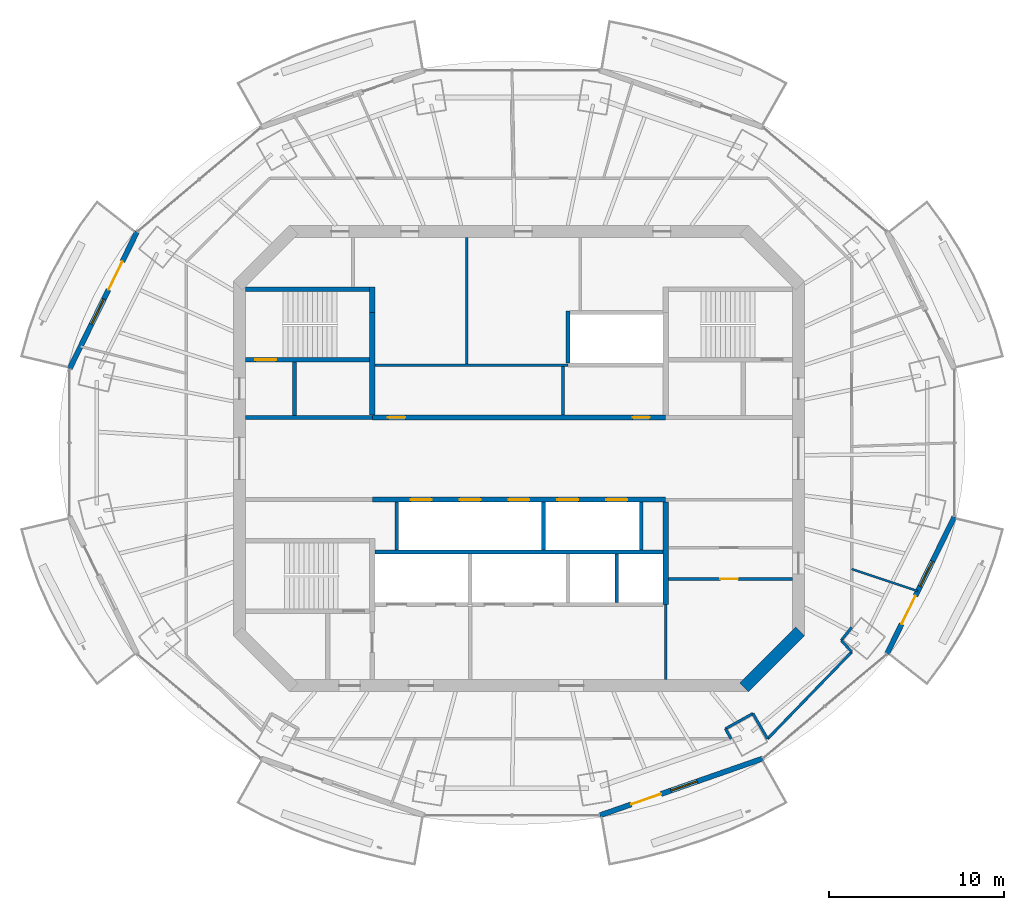
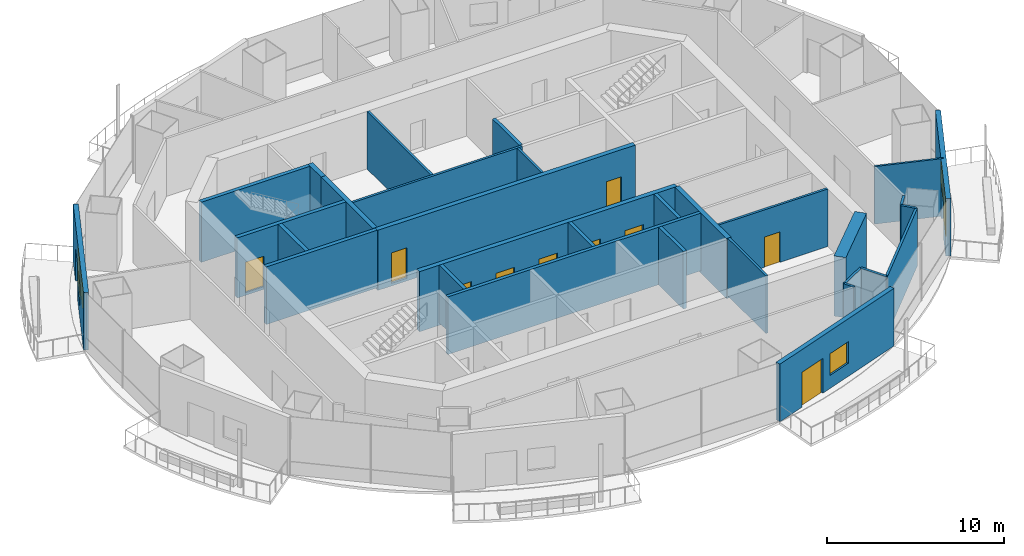
# One storey, part 9 of 16: 31 walls, 12 doors, 3 windows, 15 openings.
"""IFC4 building model written with IfcOpenShell, lengths in metres."""

import ifcopenshell
import ifcopenshell.guid

model = None  # the IFC model being written
_history = None  # IfcOwnerHistory: only IFC2X3 demands one
_inside = {}  # id of a spatial element -> (the spatial element, [elements in it])
_under = {}  # id of a project, library or spatial element -> (it, [spatial elements below it])
_declared = {}  # id of a project -> (the project, [libraries it declares])
_typed = {}  # id of a type object -> (the type object, [elements of that type])
_made_of = {}  # id of a material, layer set ... -> (it, [elements and type objects made of it])


def new_model(schema):
    """Start an empty IFC model of exactly this schema.

    Asked for "IFC4X3", IfcOpenShell would pick the latest addendum, in which some entities
    have other attributes; the version numbers below select the first issue.
    IFC2X3 requires an IfcOwnerHistory on every rooted entity: one is made here for all.
    """
    global model, _history
    if schema == "IFC4X3":
        model = ifcopenshell.file(schema_version=(4, 3, 0, 0))
    else:
        model = ifcopenshell.file(schema=schema)
    _inside.clear()
    _under.clear()
    _declared.clear()
    _typed.clear()
    _made_of.clear()
    _history = None
    if model.schema == "IFC2X3":
        org = make("IfcOrganization", Name="unknown")
        user = make(
            "IfcPersonAndOrganization",
            ThePerson=make("IfcPerson", FamilyName="unknown"),
            TheOrganization=org,
        )
        app = make(
            "IfcApplication",
            ApplicationDeveloper=org,
            Version="unknown",
            ApplicationFullName="unknown",
            ApplicationIdentifier="unknown",
        )
        _history = make(
            "IfcOwnerHistory",
            OwningUser=user,
            OwningApplication=app,
            ChangeAction="ADDED",
            CreationDate=0,
        )
    return model


def make(cls, **values):
    """One entity of the class cls with the attributes given. An attribute that is None is left unset."""
    return model.create_entity(
        cls, **{name: value for name, value in values.items() if value is not None}
    )


def rooted(cls, **values):
    """An entity with a GlobalId (a new one), such as an element, a storey or a relation."""
    return make(cls, GlobalId=ifcopenshell.guid.new(), OwnerHistory=_history, **values)


def si_unit(unit_type, name, prefix=None):
    """IfcSIUnit, for example si_unit("LENGTHUNIT", "METRE", prefix="MILLI")."""
    return make("IfcSIUnit", UnitType=unit_type, Prefix=prefix, Name=name)


def assignment(units):
    """IfcUnitAssignment: the units of a project."""
    return None if units is None else make("IfcUnitAssignment", Units=units)


def point(xyz):
    """IfcCartesianPoint."""
    return None if xyz is None else make("IfcCartesianPoint", Coordinates=xyz)


def direction(xyz):
    """IfcDirection."""
    return None if xyz is None else make("IfcDirection", DirectionRatios=xyz)


def frame(location, z_axis=None, x_axis=None):
    """IfcAxis2Placement3D, a coordinate frame: its origin and axes. An axis left out is left unset."""
    return make(
        "IfcAxis2Placement3D",
        Location=point(location),
        Axis=direction(z_axis),
        RefDirection=direction(x_axis),
    )


def frame_2d(location, x_axis=None):
    """IfcAxis2Placement2D, a coordinate frame in the plane: its origin and x axis."""
    return make(
        "IfcAxis2Placement2D", Location=point(location), RefDirection=direction(x_axis)
    )


def origin():
    """The frame at (0, 0, 0) with its axes left unset."""
    return frame((0.0, 0.0, 0.0))


def place(relative_to, where):
    """IfcLocalPlacement: puts the frame where relative to a parent placement (None: the world)."""
    return make(
        "IfcLocalPlacement", PlacementRelTo=relative_to, RelativePlacement=where
    )


def context(
    kind, dimensions, precision=None, world=None, true_north=None, identifier=None
):
    """IfcGeometricRepresentationContext, for example the 3D "Model" context."""
    return make(
        "IfcGeometricRepresentationContext",
        ContextIdentifier=identifier,
        ContextType=kind,
        CoordinateSpaceDimension=dimensions,
        Precision=precision,
        WorldCoordinateSystem=world,
        TrueNorth=true_north,
    )


def subcontext(parent, identifier, kind, view, scale=None):
    """IfcGeometricRepresentationSubContext, for example "Body" below "Model"."""
    return make(
        "IfcGeometricRepresentationSubContext",
        ContextIdentifier=identifier,
        ContextType=kind,
        ParentContext=parent,
        TargetScale=scale,
        TargetView=view,
    )


def project(units=None, contexts=None):
    """IfcProject with its units and contexts."""
    return rooted(
        "IfcProject",
        Name="project",
        RepresentationContexts=contexts,
        UnitsInContext=assignment(units),
    )


def spatial(cls, under=None, at=None, **own):
    """A site, building, storey or space (cls), placed at a placement, below another one or the project."""
    s = rooted(cls, ObjectPlacement=at, **own)
    if under is not None:
        _under.setdefault(under.id(), (under, []))[1].append(s)
    return s


def profile(cls, at=None, kind="AREA", **sizes):
    """A parametric profile (cls). Its sizes go by their IFC names, for example OverallWidth=200.0."""
    return make(cls, ProfileType=kind, Position=at, **sizes)


def rectangle(**sizes):
    """IfcRectangleProfileDef."""
    return profile("IfcRectangleProfileDef", **sizes)


def extrude(swept, where, along, depth):
    """IfcExtrudedAreaSolid: the profile swept, set in the frame where, extruded along a direction by depth."""
    return make(
        "IfcExtrudedAreaSolid",
        SweptArea=swept,
        Position=where,
        ExtrudedDirection=direction(along),
        Depth=depth,
    )


def shape(context_of_items, identifier, shape_type, items):
    """IfcShapeRepresentation: the items that make up one representation, for example the "Body"."""
    return make(
        "IfcShapeRepresentation",
        ContextOfItems=context_of_items,
        RepresentationIdentifier=identifier,
        RepresentationType=shape_type,
        Items=items,
    )


def material(Name=None, Category=None):
    """IfcMaterial."""
    return make("IfcMaterial", Name=Name, Category=Category)


def layer(
    of_material, thickness, ventilated=None, Name=None, Category=None, Priority=None
):
    """IfcMaterialLayer: one layer of a wall or slab, of a material (None: an air gap)."""
    return make(
        "IfcMaterialLayer",
        Material=of_material,
        LayerThickness=thickness,
        IsVentilated=ventilated,
        Name=Name,
        Category=Category,
        Priority=Priority,
    )


def layer_set(layers, Name=None):
    """IfcMaterialLayerSet."""
    return make("IfcMaterialLayerSet", MaterialLayers=layers, LayerSetName=Name)


def made_of(thing, what):
    """Note that an element or type object is made of a material, layer set ...; save() writes the relation."""
    if what is not None:
        _made_of.setdefault(what.id(), (what, []))[1].append(thing)
    return thing


def type_object(cls, material=None, **own):
    """A type object (cls), such as IfcWallType, which elements share."""
    return made_of(rooted(cls, **own), material)


def element(
    cls,
    number,
    at=None,
    inside=None,
    cuts=None,
    type_object=None,
    material=None,
    context=None,
    identifier="Body",
    shape_type=None,
    held_by="IfcProductDefinitionShape",
    body=None,
    shapes=None,
    **own,
):
    """One element of the class cls, such as IfcWall. Its Tag is "e" and its number.

    at: its placement. inside: the storey or other place that contains it. cuts: it is an
    opening in that element (IfcRelVoidsElement). A single representation is given by context,
    identifier, shape_type and body (its items); several are given by shapes. held_by: the class
    of the entity that holds the representations. save() writes the other relations.
    """
    e = rooted(cls, Tag="e%d" % number, ObjectPlacement=at, **own)
    if body is not None:
        shapes = [shape(context, identifier, shape_type, body)]
    if shapes is not None:
        e.Representation = make(held_by, Representations=shapes)
    if inside is not None:
        _inside.setdefault(inside.id(), (inside, []))[1].append(e)
    if cuts is not None:
        rooted(
            "IfcRelVoidsElement", RelatingBuildingElement=cuts, RelatedOpeningElement=e
        )
    if type_object is not None:
        _typed.setdefault(type_object.id(), (type_object, []))[1].append(e)
    return made_of(e, material)


def fill(opening, filler):
    """IfcRelFillsElement: the door or window that sits in an opening."""
    return rooted(
        "IfcRelFillsElement",
        RelatingOpeningElement=opening,
        RelatedBuildingElement=filler,
    )


def aggregate(whole, parts):
    """IfcRelAggregates: a whole, such as a stair, and the parts it consists of."""
    return rooted("IfcRelAggregates", RelatingObject=whole, RelatedObjects=parts)


def save(model, path):
    """Write the relations noted so far, then the file.

    IfcRelAggregates (storeys below a building ...), IfcRelContainedInSpatialStructure (elements
    in a storey), IfcRelDefinesByType, IfcRelAssociatesMaterial and IfcRelDeclares: one each for
    every whole, place, type object, material and project.
    """
    for whole, parts in _under.values():
        aggregate(whole, parts)
    for where, things in _inside.values():
        rooted(
            "IfcRelContainedInSpatialStructure",
            RelatedElements=things,
            RelatingStructure=where,
        )
    for kind, things in _typed.values():
        rooted("IfcRelDefinesByType", RelatedObjects=things, RelatingType=kind)
    for what, things in _made_of.values():
        rooted("IfcRelAssociatesMaterial", RelatedObjects=things, RelatingMaterial=what)
    for by, libraries in _declared.values():
        rooted("IfcRelDeclares", RelatingContext=by, RelatedDefinitions=libraries)
    model.write(path)


model = new_model("IFC4")

# Units and contexts
model_context = context("Model", 3, precision=1e-05, world=origin(), true_north=direction((0.0, 1.0)))
body_context = subcontext(model_context, "Body", "Model", "MODEL_VIEW")
ifc_project = project(units=[si_unit("LENGTHUNIT", "METRE"), si_unit("AREAUNIT", "SQUARE_METRE"), si_unit("VOLUMEUNIT", "CUBIC_METRE"), si_unit("PLANEANGLEUNIT", "RADIAN"), si_unit("MASSUNIT", "GRAM", prefix="KILO")], contexts=[model_context])

# Site, building, storey
site_placement = place(None, origin())
site = spatial("IfcSite", under=ifc_project, at=site_placement, CompositionType="ELEMENT")
building_placement = place(site_placement, origin())
building = spatial("IfcBuilding", under=site, at=building_placement, Name="Marenthal Gate Tower", CompositionType="ELEMENT")
storey_placement = place(building_placement, frame((0.0, 0.0, 375.800048828125)))
storey = spatial("IfcBuildingStorey", under=building, at=storey_placement, Name="L85", CompositionType="ELEMENT", Elevation=375.800048828125)

# Wall
ifc_material_1 = material(Name="Concrete 60 MPa", Category="concrete")
ifc_layer_1 = layer(ifc_material_1, 0.699951171875)
ifc_layer_set_1 = layer_set([ifc_layer_1], Name="Core shear wall 700")
wall_type_1 = type_object("IfcWallType", Name="Core shear wall 700", PredefinedType="SHEAR", material=ifc_layer_set_1)
wall_1_placement = place(storey_placement, frame((12.8974609375, -13.1025390625, -0.179931640625), z_axis=(0.0, 0.0, 1.0), x_axis=(0.707106781187, 0.707106781187, 0.0)))
element("IfcWall", 1, at=wall_1_placement, inside=storey, type_object=wall_type_1, Name="Core wall 01", PredefinedType="SHEAR", context=body_context, shape_type="SweptSolid", body=[
    extrude(rectangle(XDim=4.53271484375, YDim=0.699951171875, at=frame_2d((2.266357421875, 0.0))), origin(), (0.0, 0.0, 1.0), 4.14990234375),
])

# Wall, openings, doors
ifc_material_2 = material(Name="Concrete 50 MPa", Category="concrete")
ifc_layer_2 = layer(ifc_material_2, 0.300048828125)
ifc_layer_set_2 = layer_set([ifc_layer_2], Name="Hoistway shear wall 300")
wall_type_2 = type_object("IfcWallType", Name="Hoistway shear wall 300", PredefinedType="SHEAR", material=ifc_layer_set_2)
wall_2_placement = place(storey_placement, frame((-8.39990234375, -2.35009765625, -0.179931640625), z_axis=(0.0, 0.0, 1.0), x_axis=(1.0, 0.0, 0.0)))
wall_2 = element("IfcWall", 2, at=wall_2_placement, inside=storey, type_object=wall_type_2, Name="Hoistway wall 17", PredefinedType="SHEAR", context=body_context, shape_type="SweptSolid", body=[
    extrude(rectangle(XDim=16.7998046875, YDim=0.300048828125, at=frame_2d((8.39990234375, 0.0))), origin(), (0.0, 0.0, 1.0), 4.14990234375),
])
opening_1_placement = place(wall_2_placement, frame((2.199951171875, 0.0, 0.179931640625)))
opening_1 = element("IfcOpeningElement", 3, at=opening_1_placement, cuts=wall_2, Name="Opening LD-HP1", PredefinedType="OPENING", context=body_context, shape_type="SweptSolid", body=[
    extrude(rectangle(XDim=1.199951171875, YDim=2.10009765625, at=frame_2d((0.60009765625, 1.050048828125))), frame((0.0, 0.16015625, 0.0), z_axis=(0.0, -1.0, 0.0), x_axis=(1.0, 0.0, 0.0)), (0.0, 0.0, 1.0), 0.320068359375),
])
opening_2_placement = place(wall_2_placement, frame((5.0, 0.0, 0.179931640625)))
opening_2 = element("IfcOpeningElement", 4, at=opening_2_placement, cuts=wall_2, Name="Opening LD-HP2", PredefinedType="OPENING", context=body_context, shape_type="SweptSolid", body=[
    extrude(rectangle(XDim=1.199951171875, YDim=2.10009765625, at=frame_2d((0.60009765625, 1.050048828125))), frame((0.0, 0.16015625, 0.0), z_axis=(0.0, -1.0, 0.0), x_axis=(1.0, 0.0, 0.0)), (0.0, 0.0, 1.0), 0.320068359375),
])
opening_3_placement = place(wall_2_placement, frame((7.800048828125, 0.0, 0.179931640625)))
opening_3 = element("IfcOpeningElement", 5, at=opening_3_placement, cuts=wall_2, Name="Opening LD-HP3", PredefinedType="OPENING", context=body_context, shape_type="SweptSolid", body=[
    extrude(rectangle(XDim=1.199951171875, YDim=2.10009765625, at=frame_2d((0.60009765625, 1.050048828125))), frame((0.0, 0.16015625, 0.0), z_axis=(0.0, -1.0, 0.0), x_axis=(1.0, 0.0, 0.0)), (0.0, 0.0, 1.0), 0.320068359375),
])
opening_4_placement = place(wall_2_placement, frame((10.60009765625, 0.0, 0.179931640625)))
opening_4 = element("IfcOpeningElement", 6, at=opening_4_placement, cuts=wall_2, Name="Opening LD-HP4", PredefinedType="OPENING", context=body_context, shape_type="SweptSolid", body=[
    extrude(rectangle(XDim=1.199951171875, YDim=2.10009765625, at=frame_2d((0.60009765625, 1.050048828125))), frame((0.0, 0.16015625, 0.0), z_axis=(0.0, -1.0, 0.0), x_axis=(1.0, 0.0, 0.0)), (0.0, 0.0, 1.0), 0.320068359375),
])
opening_5_placement = place(wall_2_placement, frame((13.39990234375, 0.0, 0.179931640625)))
opening_5 = element("IfcOpeningElement", 7, at=opening_5_placement, cuts=wall_2, Name="Opening LD-HP5", PredefinedType="OPENING", context=body_context, shape_type="SweptSolid", body=[
    extrude(rectangle(XDim=1.199951171875, YDim=2.10009765625, at=frame_2d((0.60009765625, 1.050048828125))), frame((0.0, 0.16015625, 0.0), z_axis=(0.0, -1.0, 0.0), x_axis=(1.0, 0.0, 0.0)), (0.0, 0.0, 1.0), 0.320068359375),
])
ifc_material_3 = material(Name="Stainless steel sliding door", Category="steel")
door_type_1 = type_object("IfcDoorType", Name="Lift landing door FD 90 1200 x 2100", OperationType="DOUBLE_DOOR_SLIDING", PredefinedType="DOOR", material=ifc_material_3)
door_1_placement = place(opening_1_placement, origin())
door_1 = element("IfcDoor", 8, at=door_1_placement, inside=storey, type_object=door_type_1, Name="Lift landing door HP1", OperationType="DOUBLE_DOOR_SLIDING", OverallHeight=2.10009765625, OverallWidth=1.199951171875, PredefinedType="DOOR", context=body_context, shape_type="SweptSolid", body=[
    extrude(rectangle(XDim=1.199951171875, YDim=2.10009765625, at=frame_2d((0.60009765625, 1.050048828125))), frame((0.0, 0.02490234375, 0.0), z_axis=(0.0, -1.0, 0.0), x_axis=(1.0, 0.0, 0.0)), (0.0, 0.0, 1.0), 0.050048828125),
])
fill(opening_1, door_1)
door_2_placement = place(opening_2_placement, origin())
door_2 = element("IfcDoor", 9, at=door_2_placement, inside=storey, type_object=door_type_1, Name="Lift landing door HP2", OperationType="DOUBLE_DOOR_SLIDING", OverallHeight=2.10009765625, OverallWidth=1.199951171875, PredefinedType="DOOR", context=body_context, shape_type="SweptSolid", body=[
    extrude(rectangle(XDim=1.199951171875, YDim=2.10009765625, at=frame_2d((0.60009765625, 1.050048828125))), frame((0.0, 0.02490234375, 0.0), z_axis=(0.0, -1.0, 0.0), x_axis=(1.0, 0.0, 0.0)), (0.0, 0.0, 1.0), 0.050048828125),
])
fill(opening_2, door_2)
door_3_placement = place(opening_3_placement, origin())
door_3 = element("IfcDoor", 10, at=door_3_placement, inside=storey, type_object=door_type_1, Name="Lift landing door HP3", OperationType="DOUBLE_DOOR_SLIDING", OverallHeight=2.10009765625, OverallWidth=1.199951171875, PredefinedType="DOOR", context=body_context, shape_type="SweptSolid", body=[
    extrude(rectangle(XDim=1.199951171875, YDim=2.10009765625, at=frame_2d((0.60009765625, 1.050048828125))), frame((0.0, 0.02490234375, 0.0), z_axis=(0.0, -1.0, 0.0), x_axis=(1.0, 0.0, 0.0)), (0.0, 0.0, 1.0), 0.050048828125),
])
fill(opening_3, door_3)
door_4_placement = place(opening_4_placement, origin())
door_4 = element("IfcDoor", 11, at=door_4_placement, inside=storey, type_object=door_type_1, Name="Lift landing door HP4", OperationType="DOUBLE_DOOR_SLIDING", OverallHeight=2.10009765625, OverallWidth=1.199951171875, PredefinedType="DOOR", context=body_context, shape_type="SweptSolid", body=[
    extrude(rectangle(XDim=1.199951171875, YDim=2.10009765625, at=frame_2d((0.60009765625, 1.050048828125))), frame((0.0, 0.02490234375, 0.0), z_axis=(0.0, -1.0, 0.0), x_axis=(1.0, 0.0, 0.0)), (0.0, 0.0, 1.0), 0.050048828125),
])
fill(opening_4, door_4)
door_5_placement = place(opening_5_placement, origin())
door_5 = element("IfcDoor", 12, at=door_5_placement, inside=storey, type_object=door_type_1, Name="Lift landing door HP5", OperationType="DOUBLE_DOOR_SLIDING", OverallHeight=2.10009765625, OverallWidth=1.199951171875, PredefinedType="DOOR", context=body_context, shape_type="SweptSolid", body=[
    extrude(rectangle(XDim=1.199951171875, YDim=2.10009765625, at=frame_2d((0.60009765625, 1.050048828125))), frame((0.0, 0.02490234375, 0.0), z_axis=(0.0, -1.0, 0.0), x_axis=(1.0, 0.0, 0.0)), (0.0, 0.0, 1.0), 0.050048828125),
])
fill(opening_5, door_5)

wall_3_placement = place(storey_placement, frame((-8.39990234375, 2.35009765625, -0.179931640625), z_axis=(0.0, 0.0, 1.0), x_axis=(1.0, 0.0, 0.0)))
wall_3 = element("IfcWall", 13, at=wall_3_placement, inside=storey, type_object=wall_type_2, Name="Hoistway wall 20", PredefinedType="SHEAR", context=body_context, shape_type="SweptSolid", body=[
    extrude(rectangle(XDim=16.7998046875, YDim=0.300048828125, at=frame_2d((8.39990234375, 0.0))), origin(), (0.0, 0.0, 1.0), 4.14990234375),
])
opening_6_placement = place(wall_3_placement, frame((0.89990234375, 0.0, 0.179931640625)))
opening_6 = element("IfcOpeningElement", 14, at=opening_6_placement, cuts=wall_3, Name="Opening D005.01", PredefinedType="OPENING", context=body_context, shape_type="SweptSolid", body=[
    extrude(rectangle(XDim=1.0, YDim=2.10009765625, at=frame_2d((0.5, 1.050048828125))), frame((0.0, 0.16015625, 0.0), z_axis=(0.0, -1.0, 0.0), x_axis=(1.0, 0.0, 0.0)), (0.0, 0.0, 1.0), 0.320068359375),
])
opening_7_placement = place(wall_3_placement, frame((14.89990234375, 0.0, 0.179931640625)))
opening_7 = element("IfcOpeningElement", 15, at=opening_7_placement, cuts=wall_3, Name="Opening D005.02", PredefinedType="OPENING", context=body_context, shape_type="SweptSolid", body=[
    extrude(rectangle(XDim=1.0, YDim=2.10009765625, at=frame_2d((0.5, 1.050048828125))), frame((0.0, 0.16015625, 0.0), z_axis=(0.0, -1.0, 0.0), x_axis=(1.0, 0.0, 0.0)), (0.0, 0.0, 1.0), 0.320068359375),
])
ifc_material_4 = material(Name="Steel fire door", Category="steel")
door_type_2 = type_object("IfcDoorType", Name="Fire door FD 45 1000 x 2100", OperationType="NOTDEFINED", PredefinedType="DOOR", material=ifc_material_4)
door_6_placement = place(opening_6_placement, origin())
door_6 = element("IfcDoor", 16, at=door_6_placement, inside=storey, type_object=door_type_2, Name="Door D005.01", OperationType="SINGLE_SWING_RIGHT", OverallHeight=2.10009765625, OverallWidth=1.0, PredefinedType="DOOR", context=body_context, shape_type="SweptSolid", body=[
    extrude(rectangle(XDim=1.0, YDim=2.10009765625, at=frame_2d((0.5, 1.050048828125))), frame((0.0, 0.02490234375, 0.0), z_axis=(0.0, -1.0, 0.0), x_axis=(1.0, 0.0, 0.0)), (0.0, 0.0, 1.0), 0.050048828125),
])
fill(opening_6, door_6)
door_7_placement = place(opening_7_placement, origin())
door_7 = element("IfcDoor", 17, at=door_7_placement, inside=storey, type_object=door_type_2, Name="Door D005.02", OperationType="SINGLE_SWING_RIGHT", OverallHeight=2.10009765625, OverallWidth=1.0, PredefinedType="DOOR", context=body_context, shape_type="SweptSolid", body=[
    extrude(rectangle(XDim=1.0, YDim=2.10009765625, at=frame_2d((0.5, 1.050048828125))), frame((0.0, 0.02490234375, 0.0), z_axis=(0.0, -1.0, 0.0), x_axis=(1.0, 0.0, 0.0)), (0.0, 0.0, 1.0), 0.050048828125),
])
fill(opening_7, door_7)

# Walls
for number, where, z_axis, x_axis, name in (
    (18, (-8.39990234375, 2.5, -0.179931640625), (0.0, 0.0, 1.0), (0.0, 1.0, 0.0), "Hoistway wall 34"),
    (19, (8.39990234375, -8.35009765625, -0.179931640625), (0.0, 0.0, 1.0), (0.0, 1.0, 0.0), "Hoistway wall 48"),
):
    element("IfcWall", number, at=place(storey_placement, frame(where, z_axis=z_axis, x_axis=x_axis)), inside=storey, type_object=wall_type_2, Name=name, PredefinedType="SHEAR", context=body_context, shape_type="SweptSolid", body=[
        extrude(rectangle(XDim=5.85009765625, YDim=0.300048828125, at=frame_2d((2.925048828125, 0.0))), origin(), (0.0, 0.0, 1.0), 4.14990234375),
    ])
ifc_material_5 = material(Name="Concrete 40 MPa", Category="concrete")
ifc_layer_3 = layer(ifc_material_5, 0.219970703125)
ifc_layer_set_3 = layer_set([ifc_layer_3], Name="Hoistway wall 220")
wall_type_3 = type_object("IfcWallType", Name="Hoistway wall 220", PredefinedType="STANDARD", material=ifc_layer_set_3)
wall_4_placement = place(storey_placement, frame((-8.25, -5.35009765625, 0.0), z_axis=(0.0, 0.0, 1.0), x_axis=(1.0, 0.0, 0.0)))
element("IfcWall", 20, at=wall_4_placement, inside=storey, type_object=wall_type_3, Name="Hoistway wall 13", PredefinedType="STANDARD", context=body_context, shape_type="SweptSolid", body=[
    extrude(rectangle(XDim=16.5, YDim=0.219970703125, at=frame_2d((8.25, 0.0))), origin(), (0.0, 0.0, 1.0), 3.969970703125),
])
for number, where, z_axis, x_axis, name in (
    (21, (-7.0, -5.239990234375, 0.0), (0.0, 0.0, 1.0), (0.0, 1.0, 0.0), "Hoistway wall 36"),
    (22, (1.39990234375, -5.239990234375, 0.0), (0.0, 0.0, 1.0), (0.0, 1.0, 0.0), "Hoistway wall 40"),
):
    element("IfcWall", number, at=place(storey_placement, frame(where, z_axis=z_axis, x_axis=x_axis)), inside=storey, type_object=wall_type_3, Name=name, PredefinedType="STANDARD", context=body_context, shape_type="SweptSolid", body=[
        extrude(rectangle(XDim=2.739990234375, YDim=0.219970703125, at=frame_2d((1.3701171875, 0.0))), origin(), (0.0, 0.0, 1.0), 3.969970703125),
    ])
wall_5_placement = place(storey_placement, frame((2.800048828125, 5.4599609375, 0.0), z_axis=(0.0, 0.0, 1.0), x_axis=(0.0, 1.0, 0.0)))
element("IfcWall", 23, at=wall_5_placement, inside=storey, type_object=wall_type_3, Name="Hoistway wall 43", PredefinedType="STANDARD", context=body_context, shape_type="SweptSolid", body=[
    extrude(rectangle(XDim=3.0, YDim=0.219970703125, at=frame_2d((1.5, 0.0))), origin(), (0.0, 0.0, 1.0), 3.969970703125),
])
wall_6_placement = place(storey_placement, frame((5.60009765625, -8.239990234375, 0.0), z_axis=(0.0, 0.0, 1.0), x_axis=(0.0, 1.0, 0.0)))
element("IfcWall", 24, at=wall_6_placement, inside=storey, type_object=wall_type_3, Name="Hoistway wall 45", PredefinedType="STANDARD", context=body_context, shape_type="SweptSolid", body=[
    extrude(rectangle(XDim=2.780029296875, YDim=0.219970703125, at=frame_2d((1.39013671875, 0.0))), origin(), (0.0, 0.0, 1.0), 3.969970703125),
])
wall_7_placement = place(storey_placement, frame((7.0, -5.239990234375, 0.0), z_axis=(0.0, 0.0, 1.0), x_axis=(0.0, 1.0, 0.0)))
element("IfcWall", 25, at=wall_7_placement, inside=storey, type_object=wall_type_3, Name="Hoistway wall 46", PredefinedType="STANDARD", context=body_context, shape_type="SweptSolid", body=[
    extrude(rectangle(XDim=2.739990234375, YDim=0.219970703125, at=frame_2d((1.3701171875, 0.0))), origin(), (0.0, 0.0, 1.0), 3.969970703125),
])
ifc_material_6 = material(Name="Gypsum board on steel studs", Category="steel")
ifc_layer_4 = layer(ifc_material_6, 0.1201171875)
ifc_layer_set_4 = layer_set([ifc_layer_4], Name="Partition 120")
wall_type_4 = type_object("IfcWallType", Name="Partition 120", PredefinedType="PARTITIONING", material=ifc_layer_set_4)
wall_8_placement = place(storey_placement, frame((19.050048828125, -6.3330078125, 0.0), z_axis=(0.0, 0.0, 1.0), x_axis=(0.94893391062, -0.31547493288, 0.0)))
element("IfcWall", 26, at=wall_8_placement, inside=storey, type_object=wall_type_4, Name="Partition wall 73", PredefinedType="PARTITIONING", context=body_context, shape_type="SweptSolid", body=[
    extrude(rectangle(XDim=3.9892578125, YDim=0.1201171875, at=frame_2d((1.99462890625, 0.0))), origin(), (0.0, 0.0, 1.0), 3.969970703125),
])

# Wall, opening, door
ifc_material_7 = material(Name="Gypsum board on steel studs", Category="steel")
ifc_layer_5 = layer(ifc_material_7, 0.14990234375)
ifc_layer_set_5 = layer_set([ifc_layer_5], Name="Partition 150")
wall_type_5 = type_object("IfcWallType", Name="Partition 150", PredefinedType="PARTITIONING", material=ifc_layer_set_5)
wall_9_placement = place(storey_placement, frame((8.550048828125, -6.89990234375, 0.0), z_axis=(0.0, 0.0, 1.0), x_axis=(1.0, 0.0, 0.0)))
wall_9 = element("IfcWall", 27, at=wall_9_placement, inside=storey, type_object=wall_type_5, Name="Partition wall 12", PredefinedType="PARTITIONING", context=body_context, shape_type="SweptSolid", body=[
    extrude(rectangle(XDim=7.099853515625, YDim=0.14990234375, at=frame_2d((3.5498046875, 0.0))), origin(), (0.0, 0.0, 1.0), 3.969970703125),
])
opening_8_placement = place(wall_9_placement, frame((2.97509765625, 0.0, 0.0)))
opening_8 = element("IfcOpeningElement", 28, at=opening_8_placement, cuts=wall_9, Name="Opening D005.08", PredefinedType="OPENING", context=body_context, shape_type="SweptSolid", body=[
    extrude(rectangle(XDim=1.0, YDim=2.10009765625, at=frame_2d((0.5, 1.050048828125))), frame((0.0, 0.0849609375, 0.0), z_axis=(0.0, -1.0, 0.0), x_axis=(1.0, 0.0, 0.0)), (0.0, 0.0, 1.0), 0.169921875),
])
door_8_placement = place(opening_8_placement, frame((1.0, 0.0, 0.0), z_axis=(0.0, 0.0, 1.0), x_axis=(-1.0, 0.0, 0.0)))
door_8 = element("IfcDoor", 29, at=door_8_placement, inside=storey, type_object=door_type_2, Name="Door D005.08", OperationType="SINGLE_SWING_LEFT", OverallHeight=2.10009765625, OverallWidth=1.0, PredefinedType="DOOR", context=body_context, shape_type="SweptSolid", body=[
    extrude(rectangle(XDim=1.0, YDim=2.10009765625, at=frame_2d((0.5, 1.050048828125))), frame((0.0, 0.02490234375, 0.0), z_axis=(0.0, -1.0, 0.0), x_axis=(1.0, 0.0, 0.0)), (0.0, 0.0, 1.0), 0.050048828125),
])
fill(opening_8, door_8)

# Walls
wall_10_placement = place(storey_placement, frame((-8.25, 5.35009765625, 0.0), z_axis=(0.0, 0.0, 1.0), x_axis=(1.0, 0.0, 0.0)))
element("IfcWall", 30, at=wall_10_placement, inside=storey, type_object=wall_type_5, Name="Partition wall 22", PredefinedType="PARTITIONING", context=body_context, shape_type="SweptSolid", body=[
    extrude(rectangle(XDim=11.050048828125, YDim=0.14990234375, at=frame_2d((5.52490234375, 0.0))), origin(), (0.0, 0.0, 1.0), 3.969970703125),
])
wall_11_placement = place(storey_placement, frame((-3.0, 5.425048828125, 0.0), z_axis=(0.0, 0.0, 1.0), x_axis=(0.0, 1.0, 0.0)))
element("IfcWall", 31, at=wall_11_placement, inside=storey, type_object=wall_type_5, Name="Partition wall 37", PredefinedType="PARTITIONING", context=body_context, shape_type="SweptSolid", body=[
    extrude(rectangle(XDim=7.224853515625, YDim=0.14990234375, at=frame_2d((3.6123046875, 0.0))), origin(), (0.0, 0.0, 1.0), 3.969970703125),
])
wall_12_placement = place(storey_placement, frame((2.52001953125, 2.5, 0.0), z_axis=(0.0, 0.0, 1.0), x_axis=(0.0, 1.0, 0.0)))
element("IfcWall", 32, at=wall_12_placement, inside=storey, type_object=wall_type_5, Name="Partition wall 41", PredefinedType="PARTITIONING", context=body_context, shape_type="SweptSolid", body=[
    extrude(rectangle(XDim=2.77490234375, YDim=0.14990234375, at=frame_2d((1.387451171875, 0.0))), origin(), (0.0, 0.0, 1.0), 3.969970703125),
])
wall_13_placement = place(storey_placement, frame((8.39990234375, -12.64990234375, 0.0), z_axis=(0.0, 0.0, 1.0), x_axis=(0.0, 1.0, 0.0)))
element("IfcWall", 33, at=wall_13_placement, inside=storey, type_object=wall_type_5, Name="Partition wall 47", PredefinedType="PARTITIONING", context=body_context, shape_type="SweptSolid", body=[
    extrude(rectangle(XDim=4.2998046875, YDim=0.14990234375, at=frame_2d((2.14990234375, 0.0))), origin(), (0.0, 0.0, 1.0), 3.969970703125),
])
wall_14_placement = place(storey_placement, frame((11.81982421875, -15.473388671875, 0.0), z_axis=(0.0, 0.0, 1.0), x_axis=(0.48586284539, -0.874035065355, 0.0)))
element("IfcWall", 34, at=wall_14_placement, inside=storey, type_object=wall_type_5, Name="Partition wall 65", PredefinedType="PARTITIONING", context=body_context, shape_type="SweptSolid", body=[
    extrude(rectangle(XDim=0.65966796875, YDim=0.14990234375, at=frame_2d((0.329833984375, 0.0))), origin(), (0.0, 0.0, 1.0), 3.969970703125),
])
wall_15_placement = place(storey_placement, frame((13.393310546875, -14.59912109375, 0.0), z_axis=(0.0, 0.0, 1.0), x_axis=(-0.874131684449, -0.48568899333, 0.0)))
element("IfcWall", 35, at=wall_15_placement, inside=storey, type_object=wall_type_5, Name="Partition wall 67", PredefinedType="PARTITIONING", context=body_context, shape_type="SweptSolid", body=[
    extrude(rectangle(XDim=1.800048828125, YDim=0.14990234375, at=frame_2d((0.89990234375, 0.0))), origin(), (0.0, 0.0, 1.0), 3.969970703125),
])
wall_16_placement = place(storey_placement, frame((14.231689453125, -16.050048828125, 0.0), z_axis=(0.0, 0.0, 1.0), x_axis=(-0.500306725227, 0.865848243454, 0.0)))
element("IfcWall", 36, at=wall_16_placement, inside=storey, type_object=wall_type_5, Name="Partition wall 68", PredefinedType="PARTITIONING", context=body_context, shape_type="SweptSolid", body=[
    extrude(rectangle(XDim=1.67578125, YDim=0.14990234375, at=frame_2d((0.837890625, 0.0))), origin(), (0.0, 0.0, 1.0), 3.969970703125),
])
wall_17_placement = place(storey_placement, frame((18.4521484375, -10.409912109375, 0.0), z_axis=(0.0, 0.0, 1.0), x_axis=(0.667623183187, -0.744499352096, 0.0)))
element("IfcWall", 37, at=wall_17_placement, inside=storey, type_object=wall_type_5, Name="Partition wall 70", PredefinedType="PARTITIONING", context=body_context, shape_type="SweptSolid", body=[
    extrude(rectangle(XDim=0.8955078125, YDim=0.14990234375, at=frame_2d((0.44775390625, 0.0))), origin(), (0.0, 0.0, 1.0), 3.969970703125),
])
wall_18_placement = place(storey_placement, frame((19.050048828125, -11.07666015625, 0.0), z_axis=(0.0, 0.0, 1.0), x_axis=(-0.695824202045, -0.718212141257, 0.0)))
element("IfcWall", 38, at=wall_18_placement, inside=storey, type_object=wall_type_5, Name="Partition wall 71", PredefinedType="PARTITIONING", context=body_context, shape_type="SweptSolid", body=[
    extrude(rectangle(XDim=6.924560546875, YDim=0.14990234375, at=frame_2d((3.46240234375, 0.0))), origin(), (0.0, 0.0, 1.0), 3.969970703125),
])
wall_19_placement = place(storey_placement, frame((19.050048828125, -9.665771484375, 0.0), z_axis=(0.0, 0.0, 1.0), x_axis=(-0.626346705542, -0.779544613513, 0.0)))
element("IfcWall", 39, at=wall_19_placement, inside=storey, type_object=wall_type_5, Name="Partition wall 72", PredefinedType="PARTITIONING", context=body_context, shape_type="SweptSolid", body=[
    extrude(rectangle(XDim=0.95458984375, YDim=0.14990234375, at=frame_2d((0.477294921875, 0.0))), origin(), (0.0, 0.0, 1.0), 3.969970703125),
])
ifc_material_8 = material(Name="Concrete 40 MPa", Category="concrete")
ifc_layer_6 = layer(ifc_material_8, 0.25)
ifc_layer_set_6 = layer_set([ifc_layer_6], Name="Stair enclosure wall 250")
wall_type_6 = type_object("IfcWallType", Name="Stair enclosure wall 250", PredefinedType="STANDARD", material=ifc_layer_set_6)
wall_20_placement = place(storey_placement, frame((-15.64990234375, 2.35009765625, 0.0), z_axis=(0.0, 0.0, 1.0), x_axis=(1.0, 0.0, 0.0)))
element("IfcWall", 40, at=wall_20_placement, inside=storey, type_object=wall_type_6, Name="Stair wall 19", PredefinedType="STANDARD", context=body_context, shape_type="SweptSolid", body=[
    extrude(rectangle(XDim=7.25, YDim=0.25, at=frame_2d((3.625, 0.0))), origin(), (0.0, 0.0, 1.0), 3.969970703125),
])
wall_21_placement = place(storey_placement, frame((-12.85009765625, 2.47509765625, 0.0), z_axis=(0.0, 0.0, 1.0), x_axis=(0.0, 1.0, 0.0)))
element("IfcWall", 41, at=wall_21_placement, inside=storey, type_object=wall_type_6, Name="Stair wall 29", PredefinedType="STANDARD", context=body_context, shape_type="SweptSolid", body=[
    extrude(rectangle(XDim=3.0498046875, YDim=0.25, at=frame_2d((1.52490234375, 0.0))), origin(), (0.0, 0.0, 1.0), 3.969970703125),
])

# Wall, opening, door
ifc_material_9 = material(Name="Concrete 50 MPa", Category="concrete")
ifc_layer_7 = layer(ifc_material_9, 0.25)
ifc_layer_set_7 = layer_set([ifc_layer_7], Name="Stair shear wall 250")
wall_type_7 = type_object("IfcWallType", Name="Stair shear wall 250", PredefinedType="SHEAR", material=ifc_layer_set_7)
wall_22_placement = place(storey_placement, frame((-15.64990234375, 5.64990234375, -0.179931640625), z_axis=(0.0, 0.0, 1.0), x_axis=(1.0, 0.0, 0.0)))
wall_22 = element("IfcWall", 42, at=wall_22_placement, inside=storey, type_object=wall_type_7, Name="Stair wall 24", PredefinedType="SHEAR", context=body_context, shape_type="SweptSolid", body=[
    extrude(rectangle(XDim=7.099853515625, YDim=0.25, at=frame_2d((3.5498046875, 0.0))), origin(), (0.0, 0.0, 1.0), 4.14990234375),
])
opening_9_placement = place(wall_22_placement, frame((0.550048828125, 0.0, 0.179931640625)))
opening_9 = element("IfcOpeningElement", 43, at=opening_9_placement, cuts=wall_22, Name="Opening D001.01", PredefinedType="OPENING", context=body_context, shape_type="SweptSolid", body=[
    extrude(rectangle(XDim=1.199951171875, YDim=2.10009765625, at=frame_2d((0.60009765625, 1.050048828125))), frame((0.0, 0.135009765625, 0.0), z_axis=(0.0, -1.0, 0.0), x_axis=(1.0, 0.0, 0.0)), (0.0, 0.0, 1.0), 0.27001953125),
])
ifc_material_10 = material(Name="Steel fire door", Category="steel")
door_type_3 = type_object("IfcDoorType", Name="Fire door FD 90 1200 x 2100", OperationType="NOTDEFINED", PredefinedType="DOOR", material=ifc_material_10)
door_9_placement = place(opening_9_placement, origin())
door_9 = element("IfcDoor", 44, at=door_9_placement, inside=storey, type_object=door_type_3, Name="Door D001.01", OperationType="SINGLE_SWING_RIGHT", OverallHeight=2.10009765625, OverallWidth=1.199951171875, PredefinedType="DOOR", context=body_context, shape_type="SweptSolid", body=[
    extrude(rectangle(XDim=1.199951171875, YDim=2.10009765625, at=frame_2d((0.60009765625, 1.050048828125))), frame((0.0, 0.02490234375, 0.0), z_axis=(0.0, -1.0, 0.0), x_axis=(1.0, 0.0, 0.0)), (0.0, 0.0, 1.0), 0.050048828125),
])
fill(opening_9, door_9)

# Walls
wall_23_placement = place(storey_placement, frame((-15.64990234375, 9.699951171875, -0.179931640625), z_axis=(0.0, 0.0, 1.0), x_axis=(1.0, 0.0, 0.0)))
element("IfcWall", 45, at=wall_23_placement, inside=storey, type_object=wall_type_7, Name="Stair wall 27", PredefinedType="SHEAR", context=body_context, shape_type="SweptSolid", body=[
    extrude(rectangle(XDim=7.099853515625, YDim=0.25, at=frame_2d((3.5498046875, 0.0))), origin(), (0.0, 0.0, 1.0), 4.14990234375),
])
ifc_material_11 = material(Name="Concrete 50 MPa", Category="concrete")
ifc_layer_8 = layer(ifc_material_11, 0.300048828125)
ifc_layer_set_8 = layer_set([ifc_layer_8], Name="Stair shear wall 300")
wall_type_8 = type_object("IfcWallType", Name="Stair shear wall 300", PredefinedType="SHEAR", material=ifc_layer_set_8)
wall_24_placement = place(storey_placement, frame((-8.39990234375, 8.35009765625, -0.179931640625), z_axis=(0.0, 0.0, 1.0), x_axis=(0.0, 1.0, 0.0)))
element("IfcWall", 46, at=wall_24_placement, inside=storey, type_object=wall_type_8, Name="Stair wall 35", PredefinedType="SHEAR", context=body_context, shape_type="SweptSolid", body=[
    extrude(rectangle(XDim=1.474853515625, YDim=0.300048828125, at=frame_2d((0.7373046875, 0.0))), origin(), (0.0, 0.0, 1.0), 4.14990234375),
])

# Wall, openings, door, window
ifc_material_12 = material(Name="Terracotta cladding on insulated concrete-block backing", Category="masonry")
ifc_layer_9 = layer(ifc_material_12, 0.300048828125)
ifc_layer_set_9 = layer_set([ifc_layer_9], Name="Terracotta facade wall 300")
wall_type_9 = type_object("IfcWallType", Name="Terracotta facade wall 300", PredefinedType="SOLIDWALL", material=ifc_layer_set_9)
wall_25_placement = place(storey_placement, frame((-21.8701171875, 12.98095703125, 0.0), z_axis=(0.0, 0.0, 1.0), x_axis=(-0.441368721009, -0.897325833861, 0.0)))
wall_25 = element("IfcWall", 47, at=wall_25_placement, inside=storey, type_object=wall_type_9, Name="Terracotta facade wall L85 bay 7", PredefinedType="SOLIDWALL", context=body_context, shape_type="SweptSolid", body=[
    extrude(rectangle(XDim=8.73583984375, YDim=0.300048828125, at=frame_2d((4.367919921875, 0.0))), origin(), (0.0, 0.0, 1.0), 3.969970703125),
])
opening_10_placement = place(wall_25_placement, frame((1.89990234375, 0.0, 0.0)))
opening_10 = element("IfcOpeningElement", 48, at=opening_10_placement, cuts=wall_25, Name="Opening BD-L85-07", PredefinedType="OPENING", context=body_context, shape_type="SweptSolid", body=[
    extrude(rectangle(XDim=1.800048828125, YDim=2.39990234375, at=frame_2d((0.89990234375, 1.199951171875))), frame((0.0, 0.16015625, 0.0), z_axis=(0.0, -1.0, 0.0), x_axis=(1.0, 0.0, 0.0)), (0.0, 0.0, 1.0), 0.320068359375),
])
opening_11_placement = place(wall_25_placement, frame((4.300048828125, 0.0, 0.89990234375)))
opening_11 = element("IfcOpeningElement", 49, at=opening_11_placement, cuts=wall_25, Name="Opening WN3-L85-07", PredefinedType="OPENING", context=body_context, shape_type="SweptSolid", body=[
    extrude(rectangle(XDim=1.60009765625, YDim=1.5, at=frame_2d((0.800048828125, 0.75))), frame((0.0, 0.16015625, 0.0), z_axis=(0.0, -1.0, 0.0), x_axis=(1.0, 0.0, 0.0)), (0.0, 0.0, 1.0), 0.320068359375),
])
ifc_material_13 = material(Name="Aluminium and glass", Category="aluminium")
door_type_4 = type_object("IfcDoorType", Name="Balcony door 1800x2400", OperationType="DOUBLE_DOOR_SINGLE_SWING", PredefinedType="DOOR", material=ifc_material_13)
door_10_placement = place(opening_10_placement, origin())
door_10 = element("IfcDoor", 50, at=door_10_placement, inside=storey, type_object=door_type_4, Name="Balcony door L85 bay 7", OperationType="SINGLE_SWING_LEFT", OverallHeight=2.39990234375, OverallWidth=1.800048828125, PredefinedType="DOOR", context=body_context, shape_type="SweptSolid", body=[
    extrude(rectangle(XDim=1.800048828125, YDim=2.39990234375, at=frame_2d((0.89990234375, 1.199951171875))), frame((0.0, 0.02490234375, 0.0), z_axis=(0.0, -1.0, 0.0), x_axis=(1.0, 0.0, 0.0)), (0.0, 0.0, 1.0), 0.050048828125),
])
fill(opening_10, door_10)
ifc_material_14 = material(Name="Aluminium and glass", Category="aluminium")
window_type = type_object("IfcWindowType", Name="Window 1600x1500", PartitioningType="DOUBLE_PANEL_VERTICAL", PredefinedType="WINDOW", material=ifc_material_14)
window_1_placement = place(opening_11_placement, origin())
window_1 = element("IfcWindow", 51, at=window_1_placement, inside=storey, type_object=window_type, Name="Window L85 bay 7", OverallHeight=1.5, OverallWidth=1.60009765625, PartitioningType="SINGLE_PANEL", PredefinedType="WINDOW", context=body_context, shape_type="SweptSolid", body=[
    extrude(rectangle(XDim=1.60009765625, YDim=1.5, at=frame_2d((0.800048828125, 0.75))), frame((0.0, 0.030029296875, 0.0), z_axis=(0.0, -1.0, 0.0), x_axis=(1.0, 0.0, 0.0)), (0.0, 0.0, 1.0), 0.06005859375),
])
fill(opening_11, window_1)

wall_26_placement = place(storey_placement, frame((4.6376953125, -20.42724609375, 0.0), z_axis=(0.0, 0.0, 1.0), x_axis=(0.944206092036, 0.329355212138, 0.0)))
wall_26 = element("IfcWall", 52, at=wall_26_placement, inside=storey, type_object=wall_type_9, Name="Terracotta facade wall L85 bay 13", PredefinedType="SOLIDWALL", context=body_context, shape_type="SweptSolid", body=[
    extrude(rectangle(XDim=9.858154296875, YDim=0.300048828125, at=frame_2d((4.92919921875, 0.0))), origin(), (0.0, 0.0, 1.0), 3.969970703125),
])
opening_12_placement = place(wall_26_placement, frame((1.89990234375, 0.0, 0.0)))
opening_12 = element("IfcOpeningElement", 53, at=opening_12_placement, cuts=wall_26, Name="Opening BD-L85-13", PredefinedType="OPENING", context=body_context, shape_type="SweptSolid", body=[
    extrude(rectangle(XDim=1.800048828125, YDim=2.39990234375, at=frame_2d((0.89990234375, 1.199951171875))), frame((0.0, 0.16015625, 0.0), z_axis=(0.0, -1.0, 0.0), x_axis=(1.0, 0.0, 0.0)), (0.0, 0.0, 1.0), 0.320068359375),
])
opening_13_placement = place(wall_26_placement, frame((4.300048828125, 0.0, 0.89990234375)))
opening_13 = element("IfcOpeningElement", 54, at=opening_13_placement, cuts=wall_26, Name="Opening WN3-L85-13", PredefinedType="OPENING", context=body_context, shape_type="SweptSolid", body=[
    extrude(rectangle(XDim=1.60009765625, YDim=1.5, at=frame_2d((0.800048828125, 0.75))), frame((0.0, 0.16015625, 0.0), z_axis=(0.0, -1.0, 0.0), x_axis=(1.0, 0.0, 0.0)), (0.0, 0.0, 1.0), 0.320068359375),
])
door_11_placement = place(opening_12_placement, origin())
door_11 = element("IfcDoor", 55, at=door_11_placement, inside=storey, type_object=door_type_4, Name="Balcony door L85 bay 13", OperationType="SINGLE_SWING_LEFT", OverallHeight=2.39990234375, OverallWidth=1.800048828125, PredefinedType="DOOR", context=body_context, shape_type="SweptSolid", body=[
    extrude(rectangle(XDim=1.800048828125, YDim=2.39990234375, at=frame_2d((0.89990234375, 1.199951171875))), frame((0.0, 0.02490234375, 0.0), z_axis=(0.0, -1.0, 0.0), x_axis=(1.0, 0.0, 0.0)), (0.0, 0.0, 1.0), 0.050048828125),
])
fill(opening_12, door_11)
window_2_placement = place(opening_13_placement, origin())
window_2 = element("IfcWindow", 56, at=window_2_placement, inside=storey, type_object=window_type, Name="Window L85 bay 13", OverallHeight=1.5, OverallWidth=1.60009765625, PartitioningType="SINGLE_PANEL", PredefinedType="WINDOW", context=body_context, shape_type="SweptSolid", body=[
    extrude(rectangle(XDim=1.60009765625, YDim=1.5, at=frame_2d((0.800048828125, 0.75))), frame((0.0, 0.030029296875, 0.0), z_axis=(0.0, -1.0, 0.0), x_axis=(1.0, 0.0, 0.0)), (0.0, 0.0, 1.0), 0.06005859375),
])
fill(opening_13, window_2)

wall_27_placement = place(storey_placement, frame((21.0703125, -11.180908203125, 0.0), z_axis=(0.0, 0.0, 1.0), x_axis=(0.441357286206, 0.897331458221, 0.0)))
wall_27 = element("IfcWall", 57, at=wall_27_placement, inside=storey, type_object=wall_type_9, Name="Terracotta facade wall L85 bay 15", PredefinedType="SOLIDWALL", context=body_context, shape_type="SweptSolid", body=[
    extrude(rectangle(XDim=8.735595703125, YDim=0.300048828125, at=frame_2d((4.36767578125, 0.0))), origin(), (0.0, 0.0, 1.0), 3.969970703125),
])
opening_14_placement = place(wall_27_placement, frame((1.89990234375, 0.0, 0.0)))
opening_14 = element("IfcOpeningElement", 58, at=opening_14_placement, cuts=wall_27, Name="Opening BD-L85-15", PredefinedType="OPENING", context=body_context, shape_type="SweptSolid", body=[
    extrude(rectangle(XDim=1.800048828125, YDim=2.39990234375, at=frame_2d((0.89990234375, 1.199951171875))), frame((0.0, 0.16015625, 0.0), z_axis=(0.0, -1.0, 0.0), x_axis=(1.0, 0.0, 0.0)), (0.0, 0.0, 1.0), 0.320068359375),
])
opening_15_placement = place(wall_27_placement, frame((4.300048828125, 0.0, 0.89990234375)))
opening_15 = element("IfcOpeningElement", 59, at=opening_15_placement, cuts=wall_27, Name="Opening WN3-L85-15", PredefinedType="OPENING", context=body_context, shape_type="SweptSolid", body=[
    extrude(rectangle(XDim=1.60009765625, YDim=1.5, at=frame_2d((0.800048828125, 0.75))), frame((0.0, 0.16015625, 0.0), z_axis=(0.0, -1.0, 0.0), x_axis=(1.0, 0.0, 0.0)), (0.0, 0.0, 1.0), 0.320068359375),
])
door_12_placement = place(opening_14_placement, origin())
door_12 = element("IfcDoor", 60, at=door_12_placement, inside=storey, type_object=door_type_4, Name="Balcony door L85 bay 15", OperationType="SINGLE_SWING_LEFT", OverallHeight=2.39990234375, OverallWidth=1.800048828125, PredefinedType="DOOR", context=body_context, shape_type="SweptSolid", body=[
    extrude(rectangle(XDim=1.800048828125, YDim=2.39990234375, at=frame_2d((0.89990234375, 1.199951171875))), frame((0.0, 0.02490234375, 0.0), z_axis=(0.0, -1.0, 0.0), x_axis=(1.0, 0.0, 0.0)), (0.0, 0.0, 1.0), 0.050048828125),
])
fill(opening_14, door_12)
window_3_placement = place(opening_15_placement, origin())
window_3 = element("IfcWindow", 61, at=window_3_placement, inside=storey, type_object=window_type, Name="Window L85 bay 15", OverallHeight=1.5, OverallWidth=1.60009765625, PartitioningType="SINGLE_PANEL", PredefinedType="WINDOW", context=body_context, shape_type="SweptSolid", body=[
    extrude(rectangle(XDim=1.60009765625, YDim=1.5, at=frame_2d((0.800048828125, 0.75))), frame((0.0, 0.030029296875, 0.0), z_axis=(0.0, -1.0, 0.0), x_axis=(1.0, 0.0, 0.0)), (0.0, 0.0, 1.0), 0.06005859375),
])
fill(opening_15, window_3)

save(model, "model.ifc")
